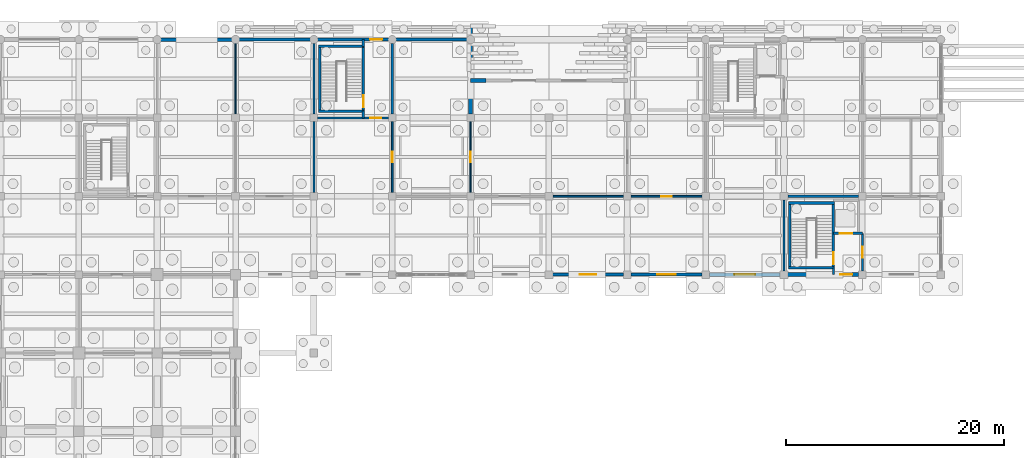
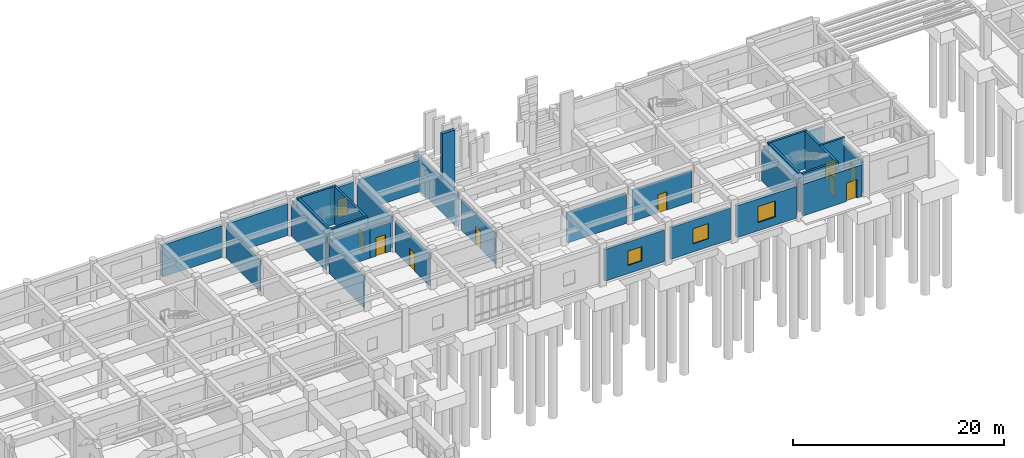
# One storey, part 63 of 79: 35 walls, 10 doors, 3 windows, 13 openings.
"""IFC4 building model written with IfcOpenShell, lengths in metres."""

from ifc_helpers import new_model, si_unit, direction, frame, frame_2d, origin, place, context, subcontext, project, spatial, rectangle, extrude, material, layer, layer_set, type_object, element, fill, save


model = new_model("IFC4")

# Units and contexts
model_context = context("Model", 3, precision=1e-05, world=origin(), true_north=direction((0.0, 1.0)))
body_context = subcontext(model_context, "Body", "Model", "MODEL_VIEW")
ifc_project = project(units=[si_unit("LENGTHUNIT", "METRE"), si_unit("AREAUNIT", "SQUARE_METRE"), si_unit("VOLUMEUNIT", "CUBIC_METRE"), si_unit("PLANEANGLEUNIT", "RADIAN"), si_unit("MASSUNIT", "GRAM", prefix="KILO")], contexts=[model_context])

# Site, building, storey
site_placement = place(None, origin())
site = spatial("IfcSite", under=ifc_project, at=site_placement, CompositionType="ELEMENT")
building_placement = place(site_placement, origin())
building = spatial("IfcBuilding", under=site, at=building_placement, Name="Kavelor Marine Aquarium", CompositionType="ELEMENT")
storey_placement = place(building_placement, origin())
storey = spatial("IfcBuildingStorey", under=building, at=storey_placement, Name="L00", CompositionType="ELEMENT", Elevation=0.0)

# Wall, opening, door
ifc_material_1 = material(Name="Concrete C45/55", Category="concrete")
ifc_layer_1 = layer(ifc_material_1, 0.360107421875)
ifc_layer_set_1 = layer_set([ifc_layer_1], Name="WL-EX1")
wall_type_1 = type_object("IfcWallType", Name="WL-EX1", PredefinedType="STANDARD", material=ifc_layer_set_1)
wall_1_placement = place(storey_placement, frame((96.455078125, 89.199951171875, 0.0), z_axis=(0.0, 0.0, 1.0), x_axis=(-1.0, 0.0, 0.0)))
wall_1 = element("IfcWall", 1, at=wall_1_placement, inside=storey, type_object=wall_type_1, Name="ew:x:L00:12_12", PredefinedType="STANDARD", context=body_context, shape_type="SweptSolid", body=[
    extrude(rectangle(XDim=6.510009765625, YDim=0.360107421875, at=frame_2d((3.2548828125, 0.0))), origin(), (0.0, 0.0, 1.0), 3.669921875),
])
opening_1_placement = place(wall_1_placement, frame((0.590087890625, 0.0, 0.0)))
opening_1 = element("IfcOpeningElement", 2, at=opening_1_placement, cuts=wall_1, Name="Opening SD2", PredefinedType="OPENING", context=body_context, shape_type="SweptSolid", body=[
    extrude(rectangle(XDim=1.10009765625, YDim=2.14990234375, at=frame_2d((0.550048828125, 1.074951171875))), frame((0.0, 0.18994140625, 0.0), z_axis=(0.0, -1.0, 0.0), x_axis=(1.0, 0.0, 0.0)), (0.0, 0.0, 1.0), 0.380107),
])
ifc_material_2 = material(Name="Marine-Grade Anodised Aluminium and Laminated Safety Glass", Category="aluminium")
door_type_1 = type_object("IfcDoorType", Name="DR-SD2", OperationType="NOTDEFINED", PredefinedType="DOOR", material=ifc_material_2)
door_1_placement = place(opening_1_placement, origin())
door_1 = element("IfcDoor", 3, at=door_1_placement, inside=storey, type_object=door_type_1, Name="Protected Stair Exterior Exit Door SD2 (C07)", OperationType="SINGLE_SWING_RIGHT", OverallHeight=2.14990234375, OverallWidth=1.10009765625, PredefinedType="DOOR", context=body_context, shape_type="SweptSolid", body=[
    extrude(rectangle(XDim=1.10009765625, YDim=2.14990234375, at=frame_2d((0.550048828125, 1.074951171875))), frame((0.0, 0.02490234375, 0.0), z_axis=(0.0, -1.0, 0.0), x_axis=(1.0, 0.0, 0.0)), (0.0, 0.0, 1.0), 0.050048828125),
])
fill(opening_1, door_1)

# Walls
wall_2_placement = place(storey_placement, frame((60.800048828125, 103.945068359375, 0.0), z_axis=(0.0, 0.0, 1.0), x_axis=(0.0, 1.0, 0.0)))
element("IfcWall", 4, at=wall_2_placement, inside=storey, type_object=wall_type_1, Name="ew:portal:north:cheek:w:L00", PredefinedType="STANDARD", context=body_context, shape_type="SweptSolid", body=[
    extrude(rectangle(XDim=8.094970703125, YDim=0.360107421875, at=frame_2d((4.04736328125, 0.0))), origin(), (0.0, 0.0, 1.0), 3.6201171875),
])
wall_3_placement = place(storey_placement, frame((60.800048828125, 107.0400390625, 0.0), z_axis=(0.0, 0.0, 1.0), x_axis=(1.0, 0.0, 0.0)))
element("IfcWall", 5, at=wall_3_placement, inside=storey, type_object=wall_type_1, Name="ew:portal:north:jamb:l", PredefinedType="STANDARD", context=body_context, shape_type="SweptSolid", body=[
    extrude(rectangle(XDim=1.39990234375, YDim=0.340087890625, at=frame_2d((0.699951171875, 0.0))), origin(), (0.0, 0.0, 1.0), 8.8701171875),
])
ifc_material_3 = material(Name="Concrete C45/55", Category="concrete")
ifc_layer_2 = layer(ifc_material_3, 0.320068359375)
ifc_layer_set_2 = layer_set([ifc_layer_2], Name="WL-EX2")
wall_type_2 = type_object("IfcWallType", Name="WL-EX2", PredefinedType="STANDARD", material=ifc_layer_set_2)
wall_4_placement = place(storey_placement, frame((32.31005859375, 110.800048828125, 0.0), z_axis=(0.0, 0.0, 1.0), x_axis=(1.0, 0.0, 0.0)))
element("IfcWall", 6, at=wall_4_placement, inside=storey, type_object=wall_type_2, Name="ew:x:L00:04_15", PredefinedType="STANDARD", context=body_context, shape_type="SweptSolid", body=[
    extrude(rectangle(XDim=6.579833984375, YDim=0.320068359375, at=frame_2d((3.2900390625, 0.0))), origin(), (0.0, 0.0, 1.0), 3.669921875),
])
ifc_material_4 = material(Name="Concrete C40/50", Category="concrete")
ifc_layer_3 = layer(ifc_material_4, 0.300048828125)
ifc_layer_set_3 = layer_set([ifc_layer_3], Name="WL-EX3")
wall_type_3 = type_object("IfcWallType", Name="WL-EX3", PredefinedType="STANDARD", material=ifc_layer_set_3)
wall_5_placement = place(storey_placement, frame((39.510009765625, 110.800048828125, 0.0), z_axis=(0.0, 0.0, 1.0), x_axis=(1.0, 0.0, 0.0)))
element("IfcWall", 7, at=wall_5_placement, inside=storey, type_object=wall_type_3, Name="ew:x:L00:05_15", PredefinedType="STANDARD", context=body_context, shape_type="SweptSolid", body=[
    extrude(rectangle(XDim=6.580078125, YDim=0.300048828125, at=frame_2d((3.2900390625, 0.0))), origin(), (0.0, 0.0, 1.0), 3.669921875),
])

# Wall, opening, door
ifc_material_5 = material(Name="Concrete C40/50", Category="concrete")
ifc_layer_4 = layer(ifc_material_5, 0.280029296875)
ifc_layer_set_4 = layer_set([ifc_layer_4], Name="WL-EX4")
wall_type_4 = type_object("IfcWallType", Name="WL-EX4", PredefinedType="STANDARD", material=ifc_layer_set_4)
wall_6_placement = place(storey_placement, frame((46.7099609375, 110.800048828125, 0.0), z_axis=(0.0, 0.0, 1.0), x_axis=(1.0, 0.0, 0.0)))
wall_6 = element("IfcWall", 8, at=wall_6_placement, inside=storey, type_object=wall_type_4, Name="ew:x:L00:06_15", PredefinedType="STANDARD", context=body_context, shape_type="SweptSolid", body=[
    extrude(rectangle(XDim=6.580078125, YDim=0.280029296875, at=frame_2d((3.2900390625, 0.0))), origin(), (0.0, 0.0, 1.0), 3.669921875),
])
opening_2_placement = place(wall_6_placement, frame((4.85498046875, 0.0, 0.0)))
opening_2 = element("IfcOpeningElement", 9, at=opening_2_placement, cuts=wall_6, Name="Opening SD2", PredefinedType="OPENING", context=body_context, shape_type="SweptSolid", body=[
    extrude(rectangle(XDim=1.10009765625, YDim=2.14990234375, at=frame_2d((0.550048828125, 1.074951171875))), frame((0.0, 0.14990234375, 0.0), z_axis=(0.0, -1.0, 0.0), x_axis=(1.0, 0.0, 0.0)), (0.0, 0.0, 1.0), 0.300029),
])
door_2_placement = place(opening_2_placement, origin())
door_2 = element("IfcDoor", 10, at=door_2_placement, inside=storey, type_object=door_type_1, Name="Protected Stair Exterior Exit Door SD2 (C05)", OperationType="SINGLE_SWING_RIGHT", OverallHeight=2.14990234375, OverallWidth=1.10009765625, PredefinedType="DOOR", context=body_context, shape_type="SweptSolid", body=[
    extrude(rectangle(XDim=1.10009765625, YDim=2.14990234375, at=frame_2d((0.550048828125, 1.074951171875))), frame((0.0, 0.02490234375, 0.0), z_axis=(0.0, -1.0, 0.0), x_axis=(1.0, 0.0, 0.0)), (0.0, 0.0, 1.0), 0.050048828125),
])
fill(opening_2, door_2)

# Wall, opening, window
wall_7_placement = place(storey_placement, frame((74.85498046875, 89.199951171875, 0.0), z_axis=(0.0, 0.0, 1.0), x_axis=(-1.0, 0.0, 0.0)))
wall_7 = element("IfcWall", 11, at=wall_7_placement, inside=storey, type_object=wall_type_4, Name="ew:x:L00:09_12", PredefinedType="STANDARD", context=body_context, shape_type="SweptSolid", body=[
    extrude(rectangle(XDim=6.510009765625, YDim=0.280029296875, at=frame_2d((3.2548828125, 0.0))), origin(), (0.0, 0.0, 1.0), 3.669921875),
])
opening_3_placement = place(wall_7_placement, frame((2.5048828125, 0.0, 0.949951171875)))
opening_3 = element("IfcOpeningElement", 12, at=opening_3_placement, cuts=wall_7, Name="Opening W05", PredefinedType="OPENING", context=body_context, shape_type="SweptSolid", body=[
    extrude(rectangle(XDim=1.5, YDim=1.64990234375, at=frame_2d((0.75, 0.824951171875))), frame((0.0, 0.14990234375, 0.0), z_axis=(0.0, -1.0, 0.0), x_axis=(1.0, 0.0, 0.0)), (0.0, 0.0, 1.0), 0.300029),
])
ifc_material_6 = material(Name="Anodised Aluminium Frame with Low-E Double Glazing", Category="aluminium")
window_type_1 = type_object("IfcWindowType", Name="WIN-W05", PartitioningType="SINGLE_PANEL", PredefinedType="WINDOW", material=ifc_material_6)
window_1_placement = place(opening_3_placement, origin())
window_1 = element("IfcWindow", 13, at=window_1_placement, inside=storey, type_object=window_type_1, Name="win:x:L00:09_12", OverallHeight=1.64990234375, OverallWidth=1.5, PartitioningType="SINGLE_PANEL", PredefinedType="WINDOW", context=body_context, shape_type="SweptSolid", body=[
    extrude(rectangle(XDim=1.5, YDim=1.64990234375, at=frame_2d((0.75, 0.824951171875))), frame((0.0, 0.030029296875, 0.0), z_axis=(0.0, -1.0, 0.0), x_axis=(1.0, 0.0, 0.0)), (0.0, 0.0, 1.0), 0.06005859375),
])
fill(opening_3, window_1)

# Wall
ifc_material_7 = material(Name="Concrete C40/50", Category="concrete")
ifc_layer_5 = layer(ifc_material_7, 0.260009765625)
ifc_layer_set_5 = layer_set([ifc_layer_5], Name="WL-EX5")
wall_type_5 = type_object("IfcWallType", Name="WL-EX5", PredefinedType="STANDARD", material=ifc_layer_set_5)
wall_8_placement = place(storey_placement, frame((53.909912109375, 110.800048828125, 0.0), z_axis=(0.0, 0.0, 1.0), x_axis=(1.0, 0.0, 0.0)))
element("IfcWall", 14, at=wall_8_placement, inside=storey, type_object=wall_type_5, Name="ew:x:L00:07_15", PredefinedType="STANDARD", context=body_context, shape_type="SweptSolid", body=[
    extrude(rectangle(XDim=6.580078125, YDim=0.260009765625, at=frame_2d((3.2900390625, 0.0))), origin(), (0.0, 0.0, 1.0), 3.669921875),
])

# Wall, opening, window
wall_9_placement = place(storey_placement, frame((82.054931640625, 89.199951171875, 0.0), z_axis=(0.0, 0.0, 1.0), x_axis=(-1.0, 0.0, 0.0)))
wall_9 = element("IfcWall", 15, at=wall_9_placement, inside=storey, type_object=wall_type_5, Name="ew:x:L00:10_12", PredefinedType="STANDARD", context=body_context, shape_type="SweptSolid", body=[
    extrude(rectangle(XDim=6.510009765625, YDim=0.260009765625, at=frame_2d((3.2548828125, 0.0))), origin(), (0.0, 0.0, 1.0), 3.669921875),
])
opening_4_placement = place(wall_9_placement, frame((2.405029296875, 0.0, 0.949951171875)))
opening_4 = element("IfcOpeningElement", 16, at=opening_4_placement, cuts=wall_9, Name="Opening W07", PredefinedType="OPENING", context=body_context, shape_type="SweptSolid", body=[
    extrude(rectangle(XDim=1.699951171875, YDim=1.75, at=frame_2d((0.85009765625, 0.875))), frame((0.0, 0.139892578125, 0.0), z_axis=(0.0, -1.0, 0.0), x_axis=(1.0, 0.0, 0.0)), (0.0, 0.0, 1.0), 0.28001),
])
ifc_material_8 = material(Name="Anodised Aluminium Frame with Low-E Double Glazing", Category="aluminium")
window_type_2 = type_object("IfcWindowType", Name="WIN-W07", PartitioningType="SINGLE_PANEL", PredefinedType="WINDOW", material=ifc_material_8)
window_2_placement = place(opening_4_placement, origin())
window_2 = element("IfcWindow", 17, at=window_2_placement, inside=storey, type_object=window_type_2, Name="win:x:L00:10_12", OverallHeight=1.75, OverallWidth=1.699951171875, PartitioningType="SINGLE_PANEL", PredefinedType="WINDOW", context=body_context, shape_type="SweptSolid", body=[
    extrude(rectangle(XDim=1.699951171875, YDim=1.75, at=frame_2d((0.85009765625, 0.875))), frame((0.0, 0.030029296875, 0.0), z_axis=(0.0, -1.0, 0.0), x_axis=(1.0, 0.0, 0.0)), (0.0, 0.0, 1.0), 0.06005859375),
])
fill(opening_4, window_2)

ifc_material_9 = material(Name="Concrete C45/55", Category="concrete")
ifc_layer_6 = layer(ifc_material_9, 0.340087890625)
ifc_layer_set_6 = layer_set([ifc_layer_6], Name="WL-EX6")
wall_type_6 = type_object("IfcWallType", Name="WL-EX6", PredefinedType="STANDARD", material=ifc_layer_set_6)
wall_10_placement = place(storey_placement, frame((89.2548828125, 89.199951171875, 0.0), z_axis=(0.0, 0.0, 1.0), x_axis=(-1.0, 0.0, 0.0)))
wall_10 = element("IfcWall", 18, at=wall_10_placement, inside=storey, type_object=wall_type_6, Name="ew:x:L00:11_12", PredefinedType="STANDARD", context=body_context, shape_type="SweptSolid", body=[
    extrude(rectangle(XDim=6.509765625, YDim=0.340087890625, at=frame_2d((3.2548828125, 0.0))), origin(), (0.0, 0.0, 1.0), 3.669921875),
])
opening_5_placement = place(wall_10_placement, frame((2.304931640625, 0.0, 0.949951171875)))
opening_5 = element("IfcOpeningElement", 19, at=opening_5_placement, cuts=wall_10, Name="Opening W09", PredefinedType="OPENING", context=body_context, shape_type="SweptSolid", body=[
    extrude(rectangle(XDim=1.89990234375, YDim=1.85009765625, at=frame_2d((0.949951171875, 0.925048828125))), frame((0.0, 0.179931640625, 0.0), z_axis=(0.0, -1.0, 0.0), x_axis=(1.0, 0.0, 0.0)), (0.0, 0.0, 1.0), 0.360088),
])
ifc_material_10 = material(Name="Anodised Aluminium Frame with Low-E Double Glazing", Category="aluminium")
window_type_3 = type_object("IfcWindowType", Name="WIN-W09", PartitioningType="DOUBLE_PANEL_VERTICAL", PredefinedType="WINDOW", material=ifc_material_10)
window_3_placement = place(opening_5_placement, origin())
window_3 = element("IfcWindow", 20, at=window_3_placement, inside=storey, type_object=window_type_3, Name="win:x:L00:11_12", OverallHeight=1.85009765625, OverallWidth=1.89990234375, PartitioningType="SINGLE_PANEL", PredefinedType="WINDOW", context=body_context, shape_type="SweptSolid", body=[
    extrude(rectangle(XDim=1.89990234375, YDim=1.85009765625, at=frame_2d((0.949951171875, 0.925048828125))), frame((0.0, 0.030029296875, 0.0), z_axis=(0.0, -1.0, 0.0), x_axis=(1.0, 0.0, 0.0)), (0.0, 0.0, 1.0), 0.06005859375),
])
fill(opening_5, window_3)

# Walls
ifc_material_11 = material(Name="Concrete Blockwork Partition", Category="masonry")
ifc_layer_7 = layer(ifc_material_11, 0.199951171875)
ifc_layer_set_7 = layer_set([ifc_layer_7], Name="WL-PT1")
wall_type_7 = type_object("IfcWallType", Name="WL-PT1", PredefinedType="PARTITIONING", material=ifc_layer_set_7)
wall_11_placement = place(storey_placement, frame((50.93994140625, 103.60009765625, 0.0), z_axis=(0.0, 0.0, 1.0), x_axis=(0.0, 1.0, 0.0)))
element("IfcWall", 21, at=wall_11_placement, inside=storey, type_object=wall_type_7, Name="pt:st_close:s:C05:L00", PredefinedType="PARTITIONING", context=body_context, shape_type="SweptSolid", body=[
    extrude(rectangle(XDim=0.619873046875, YDim=0.199951171875, at=frame_2d((0.31005859375, 0.0))), origin(), (0.0, 0.0, 1.0), 3.52001953125),
])
wall_12_placement = place(storey_placement, frame((50.93994140625, 110.179931640625, 0.0), z_axis=(0.0, 0.0, 1.0), x_axis=(0.0, 1.0, 0.0)))
element("IfcWall", 22, at=wall_12_placement, inside=storey, type_object=wall_type_7, Name="pt:st_close:n:C05:L00", PredefinedType="PARTITIONING", context=body_context, shape_type="SweptSolid", body=[
    extrude(rectangle(XDim=0.6201171875, YDim=0.199951171875, at=frame_2d((0.31005859375, 0.0))), origin(), (0.0, 0.0, 1.0), 3.669921875),
])
for number, where, z_axis, x_axis, name in (
    (23, (46.39990234375, 103.949951171875, 0.0), (0.0, 0.0, 1.0), (0.0, 1.0, 0.0), "pt:lob:C05:L00:w"),
    (24, (53.60009765625, 103.949951171875, 0.0), (0.0, 0.0, 1.0), (0.0, 1.0, 0.0), "pt:lob:C05:L00:e"),
):
    element("IfcWall", number, at=place(storey_placement, frame(where, z_axis=z_axis, x_axis=x_axis)), inside=storey, type_object=wall_type_7, Name=name, PredefinedType="PARTITIONING", context=body_context, shape_type="SweptSolid", body=[
        extrude(rectangle(XDim=6.47509765625, YDim=0.199951171875, at=frame_2d((3.237548828125, 0.0))), origin(), (0.0, 0.0, 1.0), 3.6201171875),
    ])
wall_13_placement = place(storey_placement, frame((46.75, 103.60009765625, 0.0), z_axis=(0.0, 0.0, 1.0), x_axis=(1.0, 0.0, 0.0)))
element("IfcWall", 25, at=wall_13_placement, inside=storey, type_object=wall_type_7, Name="pt:lob:C05:L00:s_st", PredefinedType="PARTITIONING", context=body_context, shape_type="SweptSolid", body=[
    extrude(rectangle(XDim=4.18994140625, YDim=0.199951171875, at=frame_2d((2.094970703125, 0.0))), origin(), (0.0, 0.0, 1.0), 3.52001953125),
])

# Wall, opening, door
wall_14_placement = place(storey_placement, frame((50.93994140625, 103.60009765625, 0.0), z_axis=(0.0, 0.0, 1.0), x_axis=(1.0, 0.0, 0.0)))
wall_14 = element("IfcWall", 26, at=wall_14_placement, inside=storey, type_object=wall_type_7, Name="pt:lob:C05:L00:s", PredefinedType="PARTITIONING", context=body_context, shape_type="SweptSolid", body=[
    extrude(rectangle(XDim=2.31005859375, YDim=0.199951171875, at=frame_2d((1.155029296875, 0.0))), origin(), (0.0, 0.0, 1.0), 3.52001953125),
])
opening_6_placement = place(wall_14_placement, frame((0.64501953125, 0.0, 0.0)))
opening_6 = element("IfcOpeningElement", 27, at=opening_6_placement, cuts=wall_14, Name="Opening SD1", PredefinedType="OPENING", context=body_context, shape_type="SweptSolid", body=[
    extrude(rectangle(XDim=1.02001953125, YDim=2.14990234375, at=frame_2d((0.510009765625, 1.074951171875))), frame((0.0, 0.10986328125, 0.0), z_axis=(0.0, -1.0, 0.0), x_axis=(1.0, 0.0, 0.0)), (0.0, 0.0, 1.0), 0.219951),
])
ifc_material_12 = material(Name="Fire-Rated Corridor Compartment Door")
door_type_2 = type_object("IfcDoorType", Name="DR-SD1", OperationType="NOTDEFINED", PredefinedType="DOOR", material=ifc_material_12)
door_3_placement = place(opening_6_placement, origin())
door_3 = element("IfcDoor", 28, at=door_3_placement, inside=storey, type_object=door_type_2, Name="Core Lobby Fire Door C05-L00", OperationType="SINGLE_SWING_RIGHT", OverallHeight=2.14990234375, OverallWidth=1.02001953125, PredefinedType="DOOR", context=body_context, shape_type="SweptSolid", body=[
    extrude(rectangle(XDim=1.02001953125, YDim=2.14990234375, at=frame_2d((0.510009765625, 1.074951171875))), frame((0.0, 0.02490234375, 0.0), z_axis=(0.0, -1.0, 0.0), x_axis=(1.0, 0.0, 0.0)), (0.0, 0.0, 1.0), 0.050048828125),
])
fill(opening_6, door_3)

# Walls
wall_15_placement = place(storey_placement, frame((94.139892578125, 89.199951171875, 0.0), z_axis=(0.0, 0.0, 1.0), x_axis=(0.0, 1.0, 0.0)))
element("IfcWall", 29, at=wall_15_placement, inside=storey, type_object=wall_type_7, Name="pt:st_close:s:C07:L00", PredefinedType="PARTITIONING", context=body_context, shape_type="SweptSolid", body=[
    extrude(rectangle(XDim=0.6201171875, YDim=0.199951171875, at=frame_2d((0.31005859375, 0.0))), origin(), (0.0, 0.0, 1.0), 3.669921875),
])
wall_16_placement = place(storey_placement, frame((89.60009765625, 89.550048828125, 0.0), z_axis=(0.0, 0.0, 1.0), x_axis=(0.0, 1.0, 0.0)))
element("IfcWall", 30, at=wall_16_placement, inside=storey, type_object=wall_type_7, Name="pt:lob:C07:L00:w", PredefinedType="PARTITIONING", context=body_context, shape_type="SweptSolid", body=[
    extrude(rectangle(XDim=6.5, YDim=0.199951171875, at=frame_2d((3.25, 0.0))), origin(), (0.0, 0.0, 1.0), 3.6201171875),
])

# Wall, opening, door
wall_17_placement = place(storey_placement, frame((96.800048828125, 89.550048828125, 0.0), z_axis=(0.0, 0.0, 1.0), x_axis=(0.0, 1.0, 0.0)))
wall_17 = element("IfcWall", 31, at=wall_17_placement, inside=storey, type_object=wall_type_7, Name="pt:lob:C07:L00:e", PredefinedType="PARTITIONING", context=body_context, shape_type="SweptSolid", body=[
    extrude(rectangle(XDim=3.449951171875, YDim=0.199951171875, at=frame_2d((1.72509765625, 0.0))), origin(), (0.0, 0.0, 1.0), 3.6201171875),
])
opening_7_placement = place(wall_17_placement, frame((1.215087890625, 0.0, 0.0)))
opening_7 = element("IfcOpeningElement", 32, at=opening_7_placement, cuts=wall_17, Name="Opening SD1", PredefinedType="OPENING", context=body_context, shape_type="SweptSolid", body=[
    extrude(rectangle(XDim=1.02001953125, YDim=2.14990234375, at=frame_2d((0.510009765625, 1.074951171875))), frame((0.0, 0.10986328125, 0.0), z_axis=(0.0, -1.0, 0.0), x_axis=(1.0, 0.0, 0.0)), (0.0, 0.0, 1.0), 0.219951),
])
door_4_placement = place(opening_7_placement, origin())
door_4 = element("IfcDoor", 33, at=door_4_placement, inside=storey, type_object=door_type_2, Name="Core Lobby Fire Door C07-L00", OperationType="SINGLE_SWING_RIGHT", OverallHeight=2.14990234375, OverallWidth=1.02001953125, PredefinedType="DOOR", context=body_context, shape_type="SweptSolid", body=[
    extrude(rectangle(XDim=1.02001953125, YDim=2.14990234375, at=frame_2d((0.510009765625, 1.074951171875))), frame((0.0, 0.02490234375, 0.0), z_axis=(0.0, -1.0, 0.0), x_axis=(1.0, 0.0, 0.0)), (0.0, 0.0, 1.0), 0.050048828125),
])
fill(opening_7, door_4)

# Walls
wall_18_placement = place(storey_placement, frame((89.949951171875, 96.39990234375, 0.0), z_axis=(0.0, 0.0, 1.0), x_axis=(1.0, 0.0, 0.0)))
element("IfcWall", 34, at=wall_18_placement, inside=storey, type_object=wall_type_7, Name="pt:lob:C07:L00:n_full", PredefinedType="PARTITIONING", context=body_context, shape_type="SweptSolid", body=[
    extrude(rectangle(XDim=6.5, YDim=0.199951171875, at=frame_2d((3.25, 0.0))), origin(), (0.0, 0.0, 1.0), 3.6201171875),
])
ifc_material_13 = material(Name="Acoustic Gypsum Stud Partition")
ifc_layer_8 = layer(ifc_material_13, 0.159912109375)
ifc_layer_set_8 = layer_set([ifc_layer_8], Name="WL-PT2")
wall_type_8 = type_object("IfcWallType", Name="WL-PT2", PredefinedType="PARTITIONING", material=ifc_layer_set_8)
wall_19_placement = place(storey_placement, frame((46.39990234375, 96.75, 0.0), z_axis=(0.0, 0.0, 1.0), x_axis=(0.0, 1.0, 0.0)))
element("IfcWall", 35, at=wall_19_placement, inside=storey, type_object=wall_type_8, Name="pt:y:L00:05_13", PredefinedType="PARTITIONING", context=body_context, shape_type="SweptSolid", body=[
    extrude(rectangle(XDim=6.5, YDim=0.159912109375, at=frame_2d((3.25, 0.0))), origin(), (0.0, 0.0, 1.0), 3.6201171875),
])

# Wall, opening, door
wall_20_placement = place(storey_placement, frame((53.60009765625, 96.75, 0.0), z_axis=(0.0, 0.0, 1.0), x_axis=(0.0, 1.0, 0.0)))
wall_20 = element("IfcWall", 36, at=wall_20_placement, inside=storey, type_object=wall_type_8, Name="pt:y:L00:06_13", PredefinedType="PARTITIONING", context=body_context, shape_type="SweptSolid", body=[
    extrude(rectangle(XDim=6.5, YDim=0.159912109375, at=frame_2d((3.25, 0.0))), origin(), (0.0, 0.0, 1.0), 3.6201171875),
])
opening_8_placement = place(wall_20_placement, frame((2.77001953125, 0.0, 0.0)))
opening_8 = element("IfcOpeningElement", 37, at=opening_8_placement, cuts=wall_20, Name="Opening D01", PredefinedType="OPENING", context=body_context, shape_type="SweptSolid", body=[
    extrude(rectangle(XDim=0.9599609375, YDim=2.10009765625, at=frame_2d((0.47998046875, 1.050048828125))), frame((0.0, 0.08984375, 0.0), z_axis=(0.0, -1.0, 0.0), x_axis=(1.0, 0.0, 0.0)), (0.0, 0.0, 1.0), 0.179912),
])
ifc_material_14 = material(Name="Solid-Core Acoustic Timber Laboratory Door", Category="wood")
door_type_3 = type_object("IfcDoorType", Name="DR-D01", OperationType="NOTDEFINED", PredefinedType="DOOR", material=ifc_material_14)
door_5_placement = place(opening_8_placement, origin())
door_5 = element("IfcDoor", 38, at=door_5_placement, inside=storey, type_object=door_type_3, Name="dr:rm:pt:y:L00:06_13:0", OperationType="SINGLE_SWING_RIGHT", OverallHeight=2.10009765625, OverallWidth=0.9599609375, PredefinedType="DOOR", context=body_context, shape_type="SweptSolid", body=[
    extrude(rectangle(XDim=0.9599609375, YDim=2.10009765625, at=frame_2d((0.47998046875, 1.050048828125))), frame((0.0, 0.02490234375, 0.0), z_axis=(0.0, -1.0, 0.0), x_axis=(1.0, 0.0, 0.0)), (0.0, 0.0, 1.0), 0.050048828125),
])
fill(opening_8, door_5)

# Wall
wall_21_placement = place(storey_placement, frame((68.35009765625, 96.39990234375, 0.0), z_axis=(0.0, 0.0, 1.0), x_axis=(1.0, 0.0, 0.0)))
element("IfcWall", 39, at=wall_21_placement, inside=storey, type_object=wall_type_8, Name="pt:x:L00:09_12", PredefinedType="PARTITIONING", context=body_context, shape_type="SweptSolid", body=[
    extrude(rectangle(XDim=6.5, YDim=0.159912109375, at=frame_2d((3.25, 0.0))), origin(), (0.0, 0.0, 1.0), 3.52001953125),
])

# Wall, opening, door
wall_22_placement = place(storey_placement, frame((75.550048828125, 96.39990234375, 0.0), z_axis=(0.0, 0.0, 1.0), x_axis=(1.0, 0.0, 0.0)))
wall_22 = element("IfcWall", 40, at=wall_22_placement, inside=storey, type_object=wall_type_8, Name="pt:x:L00:10_12", PredefinedType="PARTITIONING", context=body_context, shape_type="SweptSolid", body=[
    extrude(rectangle(XDim=6.5, YDim=0.159912109375, at=frame_2d((3.25, 0.0))), origin(), (0.0, 0.0, 1.0), 3.6201171875),
])
opening_9_placement = place(wall_22_placement, frame((2.760009765625, 0.0, 0.0)))
opening_9 = element("IfcOpeningElement", 41, at=opening_9_placement, cuts=wall_22, Name="Opening D07", PredefinedType="OPENING", context=body_context, shape_type="SweptSolid", body=[
    extrude(rectangle(XDim=0.97998046875, YDim=2.1201171875, at=frame_2d((0.489990234375, 1.06005859375))), frame((0.0, 0.08984375, 0.0), z_axis=(0.0, -1.0, 0.0), x_axis=(1.0, 0.0, 0.0)), (0.0, 0.0, 1.0), 0.179912),
])
ifc_material_15 = material(Name="Research Write-Up Timber Door", Category="wood")
door_type_4 = type_object("IfcDoorType", Name="DR-D07", OperationType="NOTDEFINED", PredefinedType="DOOR", material=ifc_material_15)
door_6_placement = place(opening_9_placement, origin())
door_6 = element("IfcDoor", 42, at=door_6_placement, inside=storey, type_object=door_type_4, Name="dr:rm:pt:x:L00:10_12:0", OperationType="SINGLE_SWING_LEFT", OverallHeight=2.1201171875, OverallWidth=0.97998046875, PredefinedType="DOOR", context=body_context, shape_type="SweptSolid", body=[
    extrude(rectangle(XDim=0.97998046875, YDim=2.1201171875, at=frame_2d((0.489990234375, 1.06005859375))), frame((0.0, 0.02490234375, 0.0), z_axis=(0.0, -1.0, 0.0), x_axis=(1.0, 0.0, 0.0)), (0.0, 0.0, 1.0), 0.050048828125),
])
fill(opening_9, door_6)

# Wall
ifc_material_16 = material(Name="Lightweight Drywall Partition")
ifc_layer_9 = layer(ifc_material_16, 0.1201171875)
ifc_layer_set_9 = layer_set([ifc_layer_9], Name="WL-PT4")
wall_type_9 = type_object("IfcWallType", Name="WL-PT4", PredefinedType="PARTITIONING", material=ifc_layer_set_9)
wall_23_placement = place(storey_placement, frame((39.199951171875, 103.949951171875, 0.0), z_axis=(0.0, 0.0, 1.0), x_axis=(0.0, 1.0, 0.0)))
element("IfcWall", 43, at=wall_23_placement, inside=storey, type_object=wall_type_9, Name="pt:y:L00:04_14", PredefinedType="PARTITIONING", context=body_context, shape_type="SweptSolid", body=[
    extrude(rectangle(XDim=6.47509765625, YDim=0.1201171875, at=frame_2d((3.237548828125, 0.0))), origin(), (0.0, 0.0, 1.0), 3.6201171875),
])

# Wall, opening, door
wall_24_placement = place(storey_placement, frame((60.800048828125, 96.75, 0.0), z_axis=(0.0, 0.0, 1.0), x_axis=(0.0, 1.0, 0.0)))
wall_24 = element("IfcWall", 44, at=wall_24_placement, inside=storey, type_object=wall_type_9, Name="pt:y:L00:07_13", PredefinedType="PARTITIONING", context=body_context, shape_type="SweptSolid", body=[
    extrude(rectangle(XDim=6.5, YDim=0.1201171875, at=frame_2d((3.25, 0.0))), origin(), (0.0, 0.0, 1.0), 3.6201171875),
])
opening_10_placement = place(wall_24_placement, frame((2.760009765625, 0.0, 0.0)))
opening_10 = element("IfcOpeningElement", 45, at=opening_10_placement, cuts=wall_24, Name="Opening D07", PredefinedType="OPENING", context=body_context, shape_type="SweptSolid", body=[
    extrude(rectangle(XDim=0.97998046875, YDim=2.1201171875, at=frame_2d((0.489990234375, 1.06005859375))), frame((0.0, 0.070068359375, 0.0), z_axis=(0.0, -1.0, 0.0), x_axis=(1.0, 0.0, 0.0)), (0.0, 0.0, 1.0), 0.140117),
])
door_7_placement = place(opening_10_placement, origin())
door_7 = element("IfcDoor", 46, at=door_7_placement, inside=storey, type_object=door_type_4, Name="dr:rm:pt:y:L00:07_13:0", OperationType="SINGLE_SWING_RIGHT", OverallHeight=2.1201171875, OverallWidth=0.97998046875, PredefinedType="DOOR", context=body_context, shape_type="SweptSolid", body=[
    extrude(rectangle(XDim=0.97998046875, YDim=2.1201171875, at=frame_2d((0.489990234375, 1.06005859375))), frame((0.0, 0.02490234375, 0.0), z_axis=(0.0, -1.0, 0.0), x_axis=(1.0, 0.0, 0.0)), (0.0, 0.0, 1.0), 0.050048828125),
])
fill(opening_10, door_7)

# Walls
ifc_material_17 = material(Name="Concrete C40/50", Category="concrete")
ifc_layer_10 = layer(ifc_material_17, 0.35009765625)
ifc_layer_set_10 = layer_set([ifc_layer_10], Name="WL-SW2")
wall_type_10 = type_object("IfcWallType", Name="WL-SW2", PredefinedType="SHEAR", material=ifc_layer_set_10)
for number, where, z_axis, x_axis, name in (
    (47, (46.820068359375, 104.219970703125, 0.0), (0.0, 0.0, 1.0), (1.0, 0.0, 0.0), "cw_st:s:C05:L00"),
    (48, (46.820068359375, 110.179931640625, 0.0), (0.0, 0.0, 1.0), (1.0, 0.0, 0.0), "cw_st:n:C05:L00"),
):
    element("IfcWall", number, at=place(storey_placement, frame(where, z_axis=z_axis, x_axis=x_axis)), inside=storey, type_object=wall_type_10, Name=name, PredefinedType="SHEAR", context=body_context, shape_type="SweptSolid", body=[
        extrude(rectangle(XDim=4.239990234375, YDim=0.239990234375, at=frame_2d((2.1201171875, 0.0))), origin(), (0.0, 0.0, 1.0), 4.3798828125),
    ])
wall_25_placement = place(storey_placement, frame((46.93994140625, 104.340087890625, 0.0), z_axis=(0.0, 0.0, 1.0), x_axis=(0.0, 1.0, 0.0)))
element("IfcWall", 49, at=wall_25_placement, inside=storey, type_object=wall_type_10, Name="cw_st:w:C05:L00", PredefinedType="SHEAR", context=body_context, shape_type="SweptSolid", body=[
    extrude(rectangle(XDim=5.719970703125, YDim=0.239990234375, at=frame_2d((2.85986328125, 0.0))), origin(), (0.0, 0.0, 1.0), 4.3798828125),
])

# Wall, opening, door
wall_26_placement = place(storey_placement, frame((50.93994140625, 104.340087890625, 0.0), z_axis=(0.0, 0.0, 1.0), x_axis=(0.0, 1.0, 0.0)))
wall_26 = element("IfcWall", 50, at=wall_26_placement, inside=storey, type_object=wall_type_10, Name="cw_st:e:C05:L00", PredefinedType="SHEAR", context=body_context, shape_type="SweptSolid", body=[
    extrude(rectangle(XDim=5.719970703125, YDim=0.239990234375, at=frame_2d((2.85986328125, 0.0))), origin(), (0.0, 0.0, 1.0), 4.3798828125),
])
opening_11_placement = place(wall_26_placement, frame((0.219970703125, 0.0, 0.0)))
opening_11 = element("IfcOpeningElement", 51, at=opening_11_placement, cuts=wall_26, Name="Opening FD1", PredefinedType="OPENING", context=body_context, shape_type="SweptSolid", body=[
    extrude(rectangle(XDim=1.1201171875, YDim=2.14990234375, at=frame_2d((0.56005859375, 1.074951171875))), frame((0.0, 0.1298828125, 0.0), z_axis=(0.0, -1.0, 0.0), x_axis=(1.0, 0.0, 0.0)), (0.0, 0.0, 1.0), 0.25999),
])
ifc_material_18 = material(Name="Fire-Rated Steel Stair and Core Door", Category="steel")
door_type_5 = type_object("IfcDoorType", Name="DR-FD1", OperationType="NOTDEFINED", PredefinedType="DOOR", material=ifc_material_18)
door_8_placement = place(opening_11_placement, origin())
door_8 = element("IfcDoor", 52, at=door_8_placement, inside=storey, type_object=door_type_5, Name="Stair Fire Door ST05-L00", OperationType="SINGLE_SWING_LEFT", OverallHeight=2.14990234375, OverallWidth=1.1201171875, PredefinedType="DOOR", context=body_context, shape_type="SweptSolid", body=[
    extrude(rectangle(XDim=1.1201171875, YDim=2.14990234375, at=frame_2d((0.56005859375, 1.074951171875))), frame((0.0, 0.02490234375, 0.0), z_axis=(0.0, -1.0, 0.0), x_axis=(1.0, 0.0, 0.0)), (0.0, 0.0, 1.0), 0.050048828125),
])
fill(opening_11, door_8)

# Walls
for number, where, z_axis, x_axis, name in (
    (53, (90.02001953125, 89.820068359375, 0.0), (0.0, 0.0, 1.0), (1.0, 0.0, 0.0), "cw_st:s:C07:L00"),
    (54, (90.02001953125, 95.780029296875, 0.0), (0.0, 0.0, 1.0), (1.0, 0.0, 0.0), "cw_st:n:C07:L00"),
):
    element("IfcWall", number, at=place(storey_placement, frame(where, z_axis=z_axis, x_axis=x_axis)), inside=storey, type_object=wall_type_10, Name=name, PredefinedType="SHEAR", context=body_context, shape_type="SweptSolid", body=[
        extrude(rectangle(XDim=4.239990234375, YDim=0.239990234375, at=frame_2d((2.1201171875, 0.0))), origin(), (0.0, 0.0, 1.0), 4.3798828125),
    ])
wall_27_placement = place(storey_placement, frame((90.139892578125, 89.93994140625, 0.0), z_axis=(0.0, 0.0, 1.0), x_axis=(0.0, 1.0, 0.0)))
element("IfcWall", 55, at=wall_27_placement, inside=storey, type_object=wall_type_10, Name="cw_st:w:C07:L00", PredefinedType="SHEAR", context=body_context, shape_type="SweptSolid", body=[
    extrude(rectangle(XDim=5.719970703125, YDim=0.239990234375, at=frame_2d((2.85986328125, 0.0))), origin(), (0.0, 0.0, 1.0), 4.3798828125),
])

# Wall, opening, door
wall_28_placement = place(storey_placement, frame((94.139892578125, 89.93994140625, 0.0), z_axis=(0.0, 0.0, 1.0), x_axis=(0.0, 1.0, 0.0)))
wall_28 = element("IfcWall", 56, at=wall_28_placement, inside=storey, type_object=wall_type_10, Name="cw_st:e:C07:L00", PredefinedType="SHEAR", context=body_context, shape_type="SweptSolid", body=[
    extrude(rectangle(XDim=5.719970703125, YDim=0.239990234375, at=frame_2d((2.85986328125, 0.0))), origin(), (0.0, 0.0, 1.0), 4.3798828125),
])
opening_12_placement = place(wall_28_placement, frame((0.219970703125, 0.0, 0.0)))
opening_12 = element("IfcOpeningElement", 57, at=opening_12_placement, cuts=wall_28, Name="Opening FD1", PredefinedType="OPENING", context=body_context, shape_type="SweptSolid", body=[
    extrude(rectangle(XDim=1.1201171875, YDim=2.14990234375, at=frame_2d((0.56005859375, 1.074951171875))), frame((0.0, 0.1298828125, 0.0), z_axis=(0.0, -1.0, 0.0), x_axis=(1.0, 0.0, 0.0)), (0.0, 0.0, 1.0), 0.25999),
])
door_9_placement = place(opening_12_placement, origin())
door_9 = element("IfcDoor", 58, at=door_9_placement, inside=storey, type_object=door_type_5, Name="Stair Fire Door ST07-L00", OperationType="SINGLE_SWING_LEFT", OverallHeight=2.14990234375, OverallWidth=1.1201171875, PredefinedType="DOOR", context=body_context, shape_type="SweptSolid", body=[
    extrude(rectangle(XDim=1.1201171875, YDim=2.14990234375, at=frame_2d((0.56005859375, 1.074951171875))), frame((0.0, 0.02490234375, 0.0), z_axis=(0.0, -1.0, 0.0), x_axis=(1.0, 0.0, 0.0)), (0.0, 0.0, 1.0), 0.050048828125),
])
fill(opening_12, door_9)

wall_29_placement = place(storey_placement, frame((94.139892578125, 93.0, 0.0), z_axis=(0.0, 0.0, 1.0), x_axis=(1.0, 0.0, 0.0)))
wall_29 = element("IfcWall", 59, at=wall_29_placement, inside=storey, type_object=wall_type_10, Name="cw_lf:s:C07:L00", PredefinedType="SHEAR", context=body_context, shape_type="SweptSolid", body=[
    extrude(rectangle(XDim=2.66015625, YDim=0.219970703125, at=frame_2d((1.330078125, 0.0))), origin(), (0.0, 0.0, 1.0), 4.3798828125),
])
opening_13_placement = place(wall_29_placement, frame((0.5849609375, 0.0, 0.0)))
opening_13 = element("IfcOpeningElement", 60, at=opening_13_placement, cuts=wall_29, Name="Opening LD1", PredefinedType="OPENING", context=body_context, shape_type="SweptSolid", body=[
    extrude(rectangle(XDim=1.139892578125, YDim=2.14990234375, at=frame_2d((0.56982421875, 1.074951171875))), frame((0.0, 0.119873046875, 0.0), z_axis=(0.0, -1.0, 0.0), x_axis=(1.0, 0.0, 0.0)), (0.0, 0.0, 1.0), 0.239971),
])
ifc_material_19 = material(Name="Stainless Steel Lift Landing Sliding Door", Category="steel")
door_type_6 = type_object("IfcDoorType", Name="DR-LD1", OperationType="NOTDEFINED", PredefinedType="DOOR", material=ifc_material_19)
door_10_placement = place(opening_13_placement, origin())
door_10 = element("IfcDoor", 61, at=door_10_placement, inside=storey, type_object=door_type_6, Name="Lift Landing Sliding Door EL2-L00", OperationType="SLIDING_TO_LEFT", OverallHeight=2.14990234375, OverallWidth=1.139892578125, PredefinedType="DOOR", context=body_context, shape_type="SweptSolid", body=[
    extrude(rectangle(XDim=1.139892578125, YDim=2.14990234375, at=frame_2d((0.56982421875, 1.074951171875))), frame((0.0, 0.02490234375, 0.0), z_axis=(0.0, -1.0, 0.0), x_axis=(1.0, 0.0, 0.0)), (0.0, 0.0, 1.0), 0.050048828125),
])
fill(opening_13, door_10)

save(model, "model.ifc")
